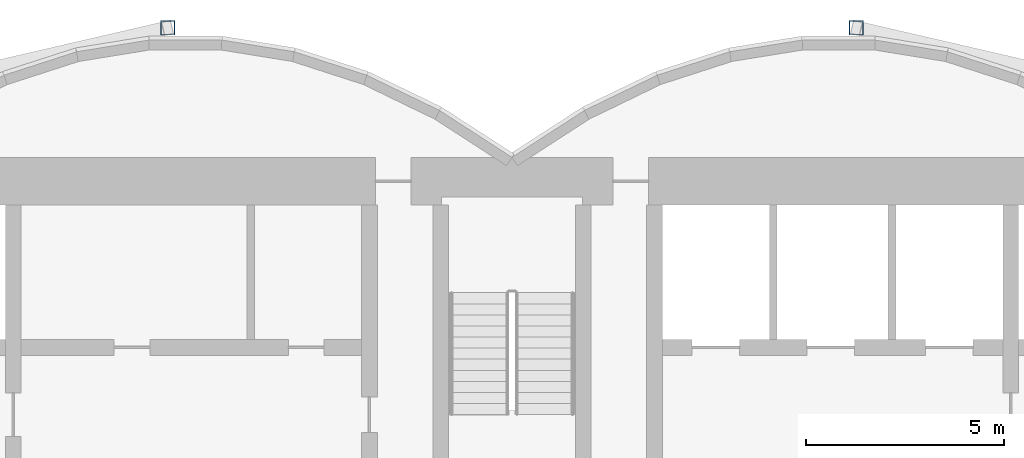
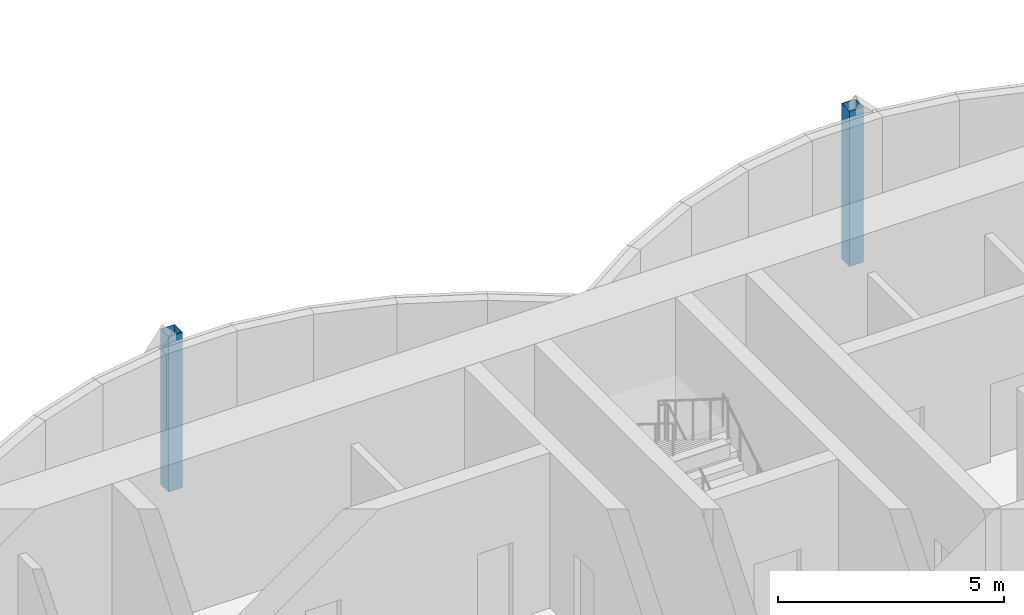
# One storey, part 3 of 19: 2 columns.
"""IFC4 building model written with IfcOpenShell, lengths in metres."""

from ifc_helpers import new_model, si_unit, direction, frame, origin, origin_2d, place, context, subcontext, project, spatial, hollow_rectangle, extrude, material, material_profile, profile_set, type_object, element, save


model = new_model("IFC4")

# Units and contexts
model_context = context("Model", 3, precision=1e-05, world=origin(), true_north=direction((0.0, 1.0)))
body_context = subcontext(model_context, "Body", "Model", "MODEL_VIEW")
ifc_project = project(units=[si_unit("LENGTHUNIT", "METRE"), si_unit("AREAUNIT", "SQUARE_METRE"), si_unit("VOLUMEUNIT", "CUBIC_METRE"), si_unit("PLANEANGLEUNIT", "RADIAN"), si_unit("MASSUNIT", "GRAM", prefix="KILO")], contexts=[model_context])

# Site, building, storey
site_placement = place(None, origin())
site = spatial("IfcSite", under=ifc_project, at=site_placement, CompositionType="ELEMENT")
building_placement = place(site_placement, origin())
building = spatial("IfcBuilding", under=site, at=building_placement, Name="Bicima Exchange Tower", CompositionType="ELEMENT")
storey_placement = place(building_placement, frame((0.0, 0.0, 266.60009765625)))
storey = spatial("IfcBuildingStorey", under=building, at=storey_placement, Name="L60", CompositionType="ELEMENT", Elevation=266.60009765625)

# Columns
ifc_material = material(Name="Steel ASTM A572 Gr 50", Category="steel")
ifc_material_profile = material_profile(ifc_material, hollow_rectangle(XDim=0.355712890625, YDim=0.355712890625, WallThickness=0.01171875, at=origin_2d()))
ifc_profile_set = profile_set([ifc_material_profile], Name="Steel ASTM A572 Gr 50")
column_type = type_object("IfcColumnType", Name="Rear pilaster HSS14x14x1/2", PredefinedType="COLUMN", material=ifc_profile_set)
for number, where, z_axis, x_axis, name in (
    (1, (-8.699951171875, 3.26904296875, 0.0), (0.0, 0.0, 1.0), (1.0, 0.0, 0.0), "Rear pilaster rexo-8.7r"),
    (2, (8.699951171875, 3.26904296875, 0.0), (0.0, 0.0, 1.0), (1.0, 0.0, 0.0), "Rear pilaster rexo+8.7r"),
):
    element("IfcColumn", number, at=place(storey_placement, frame(where, z_axis=z_axis, x_axis=x_axis)), inside=storey, type_object=column_type, Name=name, PredefinedType="COLUMN", context=body_context, shape_type="SweptSolid", body=[
        extrude(hollow_rectangle(XDim=0.355712890625, YDim=0.355712890625, WallThickness=0.01171875, at=origin_2d()), origin(), (0.0, 0.0, 1.0), 4.199951171875),
    ])

save(model, "model.ifc")
